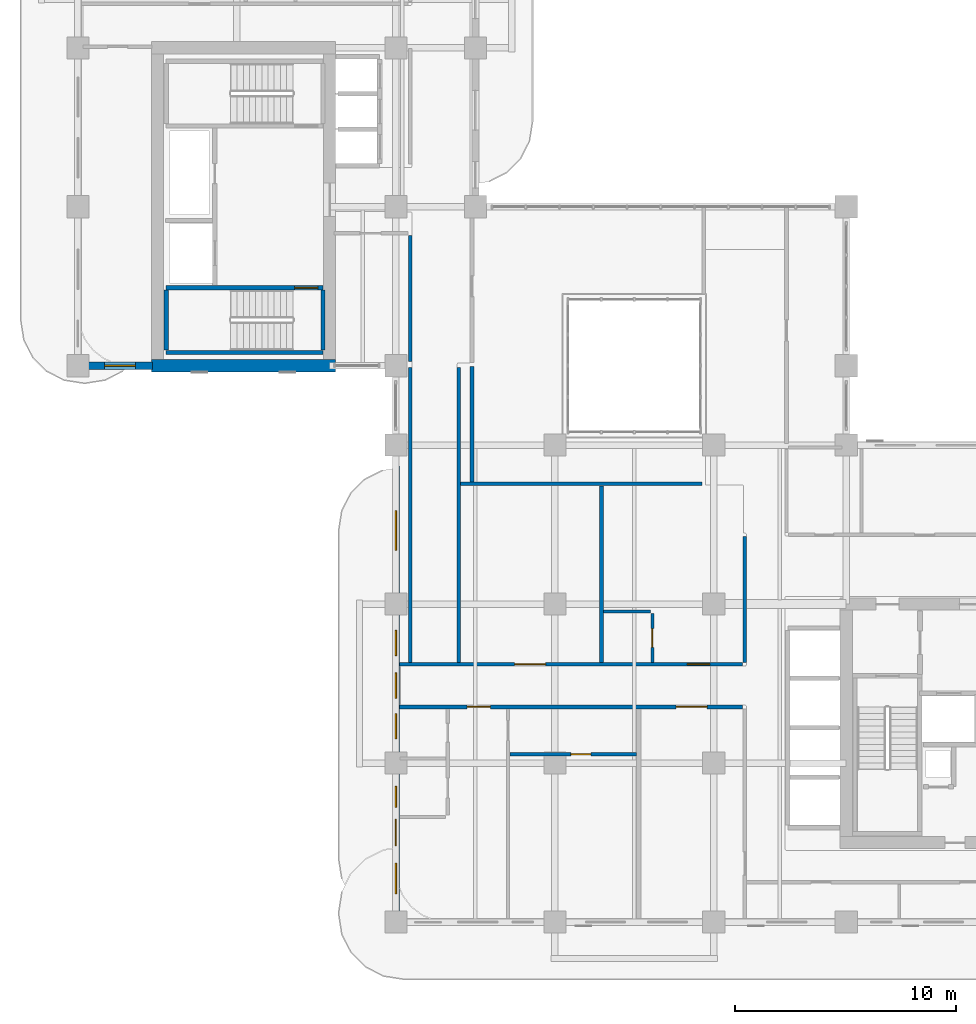
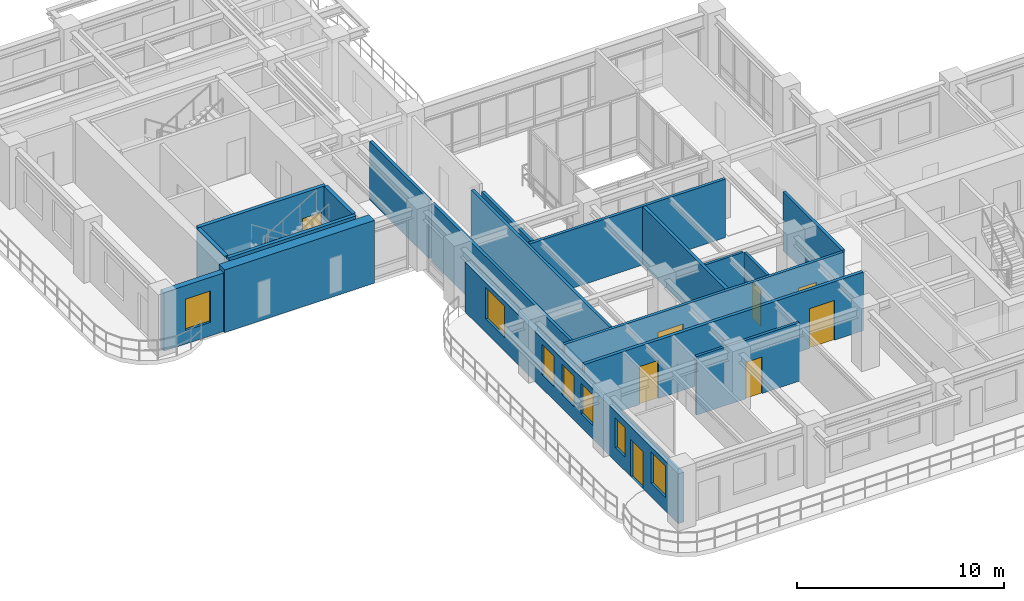
# One storey, part 11 of 20: 19 walls, 8 doors, 7 windows, 15 openings.
"""IFC4 building model written with IfcOpenShell, lengths in metres."""

from ifc_helpers import new_model, si_unit, derived_unit, direction, frame, frame_2d, origin, place, context, subcontext, project, spatial, rectangle, extrude, source, transform, mapped, material, layer, layer_set, type_object, type_shapes, element, fill, save


model = new_model("IFC4")

# Units and contexts
model_context = context("Model", 3, precision=1e-05, world=origin(), true_north=direction((0.0, 1.0)))
body_context = subcontext(model_context, "Body", "Model", "MODEL_VIEW")
ifc_project = project(units=[si_unit("LENGTHUNIT", "METRE"), si_unit("AREAUNIT", "SQUARE_METRE"), si_unit("VOLUMEUNIT", "CUBIC_METRE"), si_unit("PLANEANGLEUNIT", "RADIAN"), si_unit("MASSUNIT", "GRAM", prefix="KILO"), si_unit("THERMODYNAMICTEMPERATUREUNIT", "KELVIN"), si_unit("POWERUNIT", "WATT"), derived_unit("THERMALTRANSMITTANCEUNIT", [(si_unit("POWERUNIT", "WATT"), 1), (si_unit("AREAUNIT", "SQUARE_METRE"), -1), (si_unit("THERMODYNAMICTEMPERATUREUNIT", "KELVIN"), -1)])], contexts=[model_context])

# Site, building, storey
site_placement = place(None, origin())
site = spatial("IfcSite", under=ifc_project, at=site_placement, CompositionType="ELEMENT")
building_placement = place(site_placement, origin())
building = spatial("IfcBuilding", under=site, at=building_placement, Name="Zahravan Archway Hotel and Residences", CompositionType="ELEMENT")
storey_placement = place(building_placement, frame((0.0, 0.0, 115.5)))
storey = spatial("IfcBuildingStorey", under=building, at=storey_placement, Name="L28", CompositionType="ELEMENT", Elevation=115.5)

# Wall
ifc_material_1 = material(Name="Concrete C70/85", Category="concrete")
ifc_layer_1 = layer(ifc_material_1, 0.550048828125, Name="Concrete C70/85", Category="concrete")
ifc_layer_set_1 = layer_set([ifc_layer_1], Name="Concrete C70/85")
wall_type_1 = type_object("IfcWallType", Name="CW-CORE-550", PredefinedType="SHEAR", material=ifc_layer_set_1)
wall_1_placement = place(storey_placement, frame((3.324951171875, 25.199951171875, 0.0), z_axis=(0.0, 0.0, 1.0), x_axis=(1.0, 0.0, 0.0)))
element("IfcWall", 1, at=wall_1_placement, inside=storey, type_object=wall_type_1, Name="L28 Core B Shear S Wall 550 mm", PredefinedType="SHEAR", context=body_context, shape_type="SweptSolid", body=[
    extrude(rectangle(XDim=8.35009765625, YDim=0.550048828125, at=frame_2d((4.175048828125, 0.0))), origin(), (0.0, 0.0, 1.0), 3.699951171875),
])

# Wall, openings, door, windows
ifc_material_2 = material(Name="Agra Buff Sandstone & Insulated Backup", Category="masonry")
ifc_layer_2 = layer(ifc_material_2, 0.320068359375, Name="Agra Buff Sandstone & Insulated Backup", Category="masonry")
ifc_layer_set_2 = layer_set([ifc_layer_2], Name="Agra Buff Sandstone & Insulated Backup")
wall_type_2 = type_object("IfcWallType", Name="EW-SAND-320", PredefinedType="SOLIDWALL", material=ifc_layer_set_2)
wall_2_placement = place(storey_placement, frame((14.39990234375, 0.050048828125, 0.0), z_axis=(0.0, 0.0, 1.0), x_axis=(0.0, 1.0, 0.0)))
wall_2 = element("IfcWall", 2, at=wall_2_placement, inside=storey, type_object=wall_type_2, Name="L28 Exterior Sandstone Wall WA-WL", PredefinedType="SOLIDWALL", context=body_context, shape_type="SweptSolid", body=[
    extrude(rectangle(XDim=20.599853515625, YDim=0.320068359375, at=frame_2d((10.2998046875, 0.0))), origin(), (0.0, 0.0, 1.0), 2.93505859375),
])
opening_1_placement = place(wall_2_placement, frame((3.39990234375, 0.0, 0.0)))
opening_1 = element("IfcOpeningElement", 3, at=opening_1_placement, cuts=wall_2, Name="Opening ED-BL1", PredefinedType="OPENING", context=body_context, shape_type="SweptSolid", body=[
    extrude(rectangle(XDim=1.199951171875, YDim=2.199951171875, at=frame_2d((0.60009765625, 1.10009765625))), frame((0.0, 0.169921875, 0.0), z_axis=(0.0, -1.0, 0.0), x_axis=(1.0, 0.0, 0.0)), (0.0, 0.0, 1.0), 0.340087890625),
])
opening_2_placement = place(wall_2_placement, frame((1.22509765625, 0.0, 0.800048828125)))
opening_2 = element("IfcOpeningElement", 4, at=opening_2_placement, cuts=wall_2, Name="Opening W-03", PredefinedType="OPENING", context=body_context, shape_type="SweptSolid", body=[
    extrude(rectangle(XDim=1.39990234375, YDim=1.85009765625, at=frame_2d((0.699951171875, 0.925048828125))), frame((0.0, 0.169921875, 0.0), z_axis=(0.0, -1.0, 0.0), x_axis=(1.0, 0.0, 0.0)), (0.0, 0.0, 1.0), 0.340087890625),
])
opening_3_placement = place(wall_2_placement, frame((5.14990234375, 0.0, 0.800048828125)))
opening_3 = element("IfcOpeningElement", 5, at=opening_3_placement, cuts=wall_2, Name="Opening W-04", PredefinedType="OPENING", context=body_context, shape_type="SweptSolid", body=[
    extrude(rectangle(XDim=0.949951171875, YDim=1.75, at=frame_2d((0.47509765625, 0.875))), frame((0.0, 0.169921875, 0.0), z_axis=(0.0, -1.0, 0.0), x_axis=(1.0, 0.0, 0.0)), (0.0, 0.0, 1.0), 0.340087890625),
])
opening_4_placement = place(wall_2_placement, frame((8.24609375, 0.0, 0.800048828125)))
opening_4 = element("IfcOpeningElement", 6, at=opening_4_placement, cuts=wall_2, Name="Opening W-05", PredefinedType="OPENING", context=body_context, shape_type="SweptSolid", body=[
    extrude(rectangle(XDim=1.14990234375, YDim=1.800048828125, at=frame_2d((0.574951171875, 0.89990234375))), frame((0.0, 0.169921875, 0.0), z_axis=(0.0, -1.0, 0.0), x_axis=(1.0, 0.0, 0.0)), (0.0, 0.0, 1.0), 0.340087890625),
])
opening_5_placement = place(wall_2_placement, frame((10.0849609375, 0.0, 0.800048828125)))
opening_5 = element("IfcOpeningElement", 7, at=opening_5_placement, cuts=wall_2, Name="Opening W-05", PredefinedType="OPENING", context=body_context, shape_type="SweptSolid", body=[
    extrude(rectangle(XDim=1.14990234375, YDim=1.800048828125, at=frame_2d((0.574951171875, 0.89990234375))), frame((0.0, 0.169921875, 0.0), z_axis=(0.0, -1.0, 0.0), x_axis=(1.0, 0.0, 0.0)), (0.0, 0.0, 1.0), 0.340087890625),
])
opening_6_placement = place(wall_2_placement, frame((12.013916015625, 0.0, 0.800048828125)))
opening_6 = element("IfcOpeningElement", 8, at=opening_6_placement, cuts=wall_2, Name="Opening W-05", PredefinedType="OPENING", context=body_context, shape_type="SweptSolid", body=[
    extrude(rectangle(XDim=1.14990234375, YDim=1.800048828125, at=frame_2d((0.574951171875, 0.89990234375))), frame((0.0, 0.169921875, 0.0), z_axis=(0.0, -1.0, 0.0), x_axis=(1.0, 0.0, 0.0)), (0.0, 0.0, 1.0), 0.340087890625),
])
opening_7_placement = place(wall_2_placement, frame((16.7900390625, 0.0, 0.800048828125)))
opening_7 = element("IfcOpeningElement", 9, at=opening_7_placement, cuts=wall_2, Name="Opening W-02", PredefinedType="OPENING", context=body_context, shape_type="SweptSolid", body=[
    extrude(rectangle(XDim=1.800048828125, YDim=1.85009765625, at=frame_2d((0.89990234375, 0.925048828125))), frame((0.0, 0.169921875, 0.0), z_axis=(0.0, -1.0, 0.0), x_axis=(1.0, 0.0, 0.0)), (0.0, 0.0, 1.0), 0.340087890625),
])
ifc_material_3 = material(Name="Bronze-Anodized Glazed Aluminium", Category="aluminium")
door_type_1 = type_object("IfcDoorType", Name="ED-BALC-1200", OperationType="SLIDING_TO_LEFT", PredefinedType="DOOR", material=ifc_material_3)
shared_shape_1 = source(origin(), body_context, "Body", "SweptSolid", [
    extrude(rectangle(XDim=1.199951171875, YDim=2.199951171875, at=frame_2d((0.60009765625, 1.10009765625))), frame((0.0, 0.02490234375, 0.0), z_axis=(0.0, -1.0, 0.0), x_axis=(1.0, 0.0, 0.0)), (0.0, 0.0, 1.0), 0.050048828125),
])
type_shapes(door_type_1, [shared_shape_1])
door_1_placement = place(opening_1_placement, origin())
door_1 = element("IfcDoor", 10, at=door_1_placement, inside=storey, type_object=door_type_1, Name="L28 Outdoor Access Sliding Door (SLB-BAL-L28-WA)", OperationType="SLIDING_TO_LEFT", OverallHeight=2.199951171875, OverallWidth=1.199951171875, PredefinedType="DOOR", context=body_context, shape_type="MappedRepresentation", body=[
    mapped(shared_shape_1, transform((0.0, 0.0, 0.0), scale=1.0)),
])
fill(opening_1, door_1)
ifc_material_4 = material(Name="Bronze-Anodized Thermal-Break Aluminium & Low-E Glass", Category="aluminium")
window_type_1 = type_object("IfcWindowType", Name="WIN-TWR-1400", PartitioningType="SINGLE_PANEL", PredefinedType="WINDOW", material=ifc_material_4)
shared_shape_2 = source(origin(), body_context, "Body", "SweptSolid", [
    extrude(rectangle(XDim=1.39990234375, YDim=1.85009765625, at=frame_2d((0.699951171875, 0.925048828125))), frame((0.0, 0.030029296875, 0.0), z_axis=(0.0, -1.0, 0.0), x_axis=(1.0, 0.0, 0.0)), (0.0, 0.0, 1.0), 0.06005859375),
])
type_shapes(window_type_1, [shared_shape_2])
window_1_placement = place(opening_2_placement, origin())
window_1 = element("IfcWindow", 11, at=window_1_placement, inside=storey, type_object=window_type_1, Name="L28 Loggia Window 15", OverallHeight=1.85009765625, OverallWidth=1.39990234375, PartitioningType="SINGLE_PANEL", PredefinedType="WINDOW", context=body_context, shape_type="MappedRepresentation", body=[
    mapped(shared_shape_2, transform((0.0, 0.0, 0.0), scale=1.0)),
])
fill(opening_2, window_1)
window_type_2 = type_object("IfcWindowType", Name="WIN-NAR-950", PartitioningType="SINGLE_PANEL", PredefinedType="WINDOW", material=ifc_material_4)
shared_shape_3 = source(origin(), body_context, "Body", "SweptSolid", [
    extrude(rectangle(XDim=0.949951171875, YDim=1.75, at=frame_2d((0.47509765625, 0.875))), frame((0.0, 0.030029296875, 0.0), z_axis=(0.0, -1.0, 0.0), x_axis=(1.0, 0.0, 0.0)), (0.0, 0.0, 1.0), 0.06005859375),
])
type_shapes(window_type_2, [shared_shape_3])
window_2_placement = place(opening_3_placement, origin())
window_2 = element("IfcWindow", 12, at=window_2_placement, inside=storey, type_object=window_type_2, Name="L28 Loggia Window 16", OverallHeight=1.75, OverallWidth=0.949951171875, PartitioningType="SINGLE_PANEL", PredefinedType="WINDOW", context=body_context, shape_type="MappedRepresentation", body=[
    mapped(shared_shape_3, transform((0.0, 0.0, 0.0), scale=1.0)),
])
fill(opening_3, window_2)
window_type_3 = type_object("IfcWindowType", Name="WIN-TWR-1800", PartitioningType="DOUBLE_PANEL_VERTICAL", PredefinedType="WINDOW", material=ifc_material_4)
shared_shape_4 = source(origin(), body_context, "Body", "SweptSolid", [
    extrude(rectangle(XDim=1.800048828125, YDim=1.85009765625, at=frame_2d((0.89990234375, 0.925048828125))), frame((0.0, 0.030029296875, 0.0), z_axis=(0.0, -1.0, 0.0), x_axis=(1.0, 0.0, 0.0)), (0.0, 0.0, 1.0), 0.06005859375),
])
type_shapes(window_type_3, [shared_shape_4])
window_3_placement = place(opening_7_placement, origin())
window_3 = element("IfcWindow", 13, at=window_3_placement, inside=storey, type_object=window_type_3, Name="L28 Loggia Window 20", OverallHeight=1.85009765625, OverallWidth=1.800048828125, PartitioningType="DOUBLE_PANEL_VERTICAL", PredefinedType="WINDOW", context=body_context, shape_type="MappedRepresentation", body=[
    mapped(shared_shape_4, transform((0.0, 0.0, 0.0), scale=1.0)),
])
fill(opening_7, window_3)
window_type_4 = type_object("IfcWindowType", Name="WIN-TWR-1150", PartitioningType="SINGLE_PANEL", PredefinedType="WINDOW", material=ifc_material_4)
shared_shape_5 = source(origin(), body_context, "Body", "SweptSolid", [
    extrude(rectangle(XDim=1.14990234375, YDim=1.800048828125, at=frame_2d((0.574951171875, 0.89990234375))), frame((0.0, 0.030029296875, 0.0), z_axis=(0.0, -1.0, 0.0), x_axis=(1.0, 0.0, 0.0)), (0.0, 0.0, 1.0), 0.06005859375),
])
type_shapes(window_type_4, [shared_shape_5])
window_4_placement = place(opening_4_placement, origin())
window_4 = element("IfcWindow", 14, at=window_4_placement, inside=storey, type_object=window_type_4, Name="L28 Loggia Window 17", OverallHeight=1.800048828125, OverallWidth=1.14990234375, PartitioningType="SINGLE_PANEL", PredefinedType="WINDOW", context=body_context, shape_type="MappedRepresentation", body=[
    mapped(shared_shape_5, transform((0.0, 0.0, 0.0), scale=1.0)),
])
fill(opening_4, window_4)
window_5_placement = place(opening_5_placement, origin())
window_5 = element("IfcWindow", 15, at=window_5_placement, inside=storey, type_object=window_type_4, Name="L28 Loggia Window 18", OverallHeight=1.800048828125, OverallWidth=1.14990234375, PartitioningType="SINGLE_PANEL", PredefinedType="WINDOW", context=body_context, shape_type="MappedRepresentation", body=[
    mapped(shared_shape_5, transform((0.0, 0.0, 0.0), scale=1.0)),
])
fill(opening_5, window_5)
window_6_placement = place(opening_6_placement, origin())
window_6 = element("IfcWindow", 16, at=window_6_placement, inside=storey, type_object=window_type_4, Name="L28 Loggia Window 19", OverallHeight=1.800048828125, OverallWidth=1.14990234375, PartitioningType="SINGLE_PANEL", PredefinedType="WINDOW", context=body_context, shape_type="MappedRepresentation", body=[
    mapped(shared_shape_5, transform((0.0, 0.0, 0.0), scale=1.0)),
])
fill(opening_6, window_6)

# Wall, opening, window
wall_3_placement = place(storey_placement, frame((0.0, 25.199951171875, 0.0), z_axis=(0.0, 0.0, 1.0), x_axis=(1.0, 0.0, 0.0)))
wall_3 = element("IfcWall", 17, at=wall_3_placement, inside=storey, type_object=wall_type_2, Name="L28 Exterior Sandstone Wall WB-SW", PredefinedType="SOLIDWALL", context=body_context, shape_type="SweptSolid", body=[
    extrude(rectangle(XDim=3.3798828125, YDim=0.320068359375, at=frame_2d((1.68994140625, 0.0))), origin(), (0.0, 0.0, 1.0), 3.449951171875),
])
opening_8_placement = place(wall_3_placement, frame((1.205078125, 0.0, 0.800048828125)))
opening_8 = element("IfcOpeningElement", 18, at=opening_8_placement, cuts=wall_3, Name="Opening W-03", PredefinedType="OPENING", context=body_context, shape_type="SweptSolid", body=[
    extrude(rectangle(XDim=1.39990234375, YDim=1.85009765625, at=frame_2d((0.699951171875, 0.925048828125))), frame((0.0, 0.169921875, 0.0), z_axis=(0.0, -1.0, 0.0), x_axis=(1.0, 0.0, 0.0)), (0.0, 0.0, 1.0), 0.340087890625),
])
window_7_placement = place(opening_8_placement, origin())
window_7 = element("IfcWindow", 19, at=window_7_placement, inside=storey, type_object=window_type_1, Name="L28 Loggia Window 21", OverallHeight=1.85009765625, OverallWidth=1.39990234375, PartitioningType="SINGLE_PANEL", PredefinedType="WINDOW", context=body_context, shape_type="MappedRepresentation", body=[
    mapped(shared_shape_2, transform((0.0, 0.0, 0.0), scale=1.0)),
])
fill(opening_8, window_7)

# Wall, openings, doors
ifc_material_5 = material(Name="Fire-Rated Gypsum & Concrete Block", Category="concrete")
ifc_layer_3 = layer(ifc_material_5, 0.159912109375, Name="Fire-Rated Gypsum & Concrete Block", Category="concrete")
ifc_layer_set_3 = layer_set([ifc_layer_3], Name="Fire-Rated Gypsum & Concrete Block")
wall_type_3 = type_object("IfcWallType", Name="PW-CORR-160", PredefinedType="PARTITIONING", material=ifc_layer_set_3)
wall_4_placement = place(storey_placement, frame((14.568115234375, 11.669921875, 0.0), z_axis=(0.0, 0.0, 1.0), x_axis=(1.0, 0.0, 0.0)))
wall_4 = element("IfcWall", 20, at=wall_4_placement, inside=storey, type_object=wall_type_3, Name="L28 Partition WA-CN", PredefinedType="PARTITIONING", context=body_context, shape_type="SweptSolid", body=[
    extrude(rectangle(XDim=15.5419921875, YDim=0.159912109375, at=frame_2d((7.77099609375, 0.0))), origin(), (0.0, 0.0, 1.0), 3.449951171875),
])
opening_9_placement = place(wall_4_placement, frame((5.217041015625, 0.0, 0.0)))
opening_9 = element("IfcOpeningElement", 21, at=opening_9_placement, cuts=wall_4, Name="Opening D-P1", PredefinedType="OPENING", context=body_context, shape_type="SweptSolid", body=[
    extrude(rectangle(XDim=1.39990234375, YDim=2.35009765625, at=frame_2d((0.699951171875, 1.175048828125))), frame((0.0, 0.08984375, 0.0), z_axis=(0.0, -1.0, 0.0), x_axis=(1.0, 0.0, 0.0)), (0.0, 0.0, 1.0), 0.179931640625),
])
opening_10_placement = place(wall_4_placement, frame((13.0419921875, 0.0, 0.0)))
opening_10 = element("IfcOpeningElement", 22, at=opening_10_placement, cuts=wall_4, Name="Opening D-U2", PredefinedType="OPENING", context=body_context, shape_type="SweptSolid", body=[
    extrude(rectangle(XDim=1.0, YDim=2.199951171875, at=frame_2d((0.5, 1.10009765625))), frame((0.0, 0.08984375, 0.0), z_axis=(0.0, -1.0, 0.0), x_axis=(1.0, 0.0, 0.0)), (0.0, 0.0, 1.0), 0.179931640625),
])
door_type_2 = type_object("IfcDoorType", Name="ID-PUBLIC-1400", OperationType="DOUBLE_DOOR_SINGLE_SWING", PredefinedType="DOOR", material=ifc_material_3)
shared_shape_6 = source(origin(), body_context, "Body", "SweptSolid", [
    extrude(rectangle(XDim=1.39990234375, YDim=2.35009765625, at=frame_2d((0.699951171875, 1.175048828125))), frame((0.0, 0.02490234375, 0.0), z_axis=(0.0, -1.0, 0.0), x_axis=(1.0, 0.0, 0.0)), (0.0, 0.0, 1.0), 0.050048828125),
])
type_shapes(door_type_2, [shared_shape_6])
door_2_placement = place(opening_9_placement, origin())
door_2 = element("IfcDoor", 23, at=door_2_placement, inside=storey, type_object=door_type_2, Name="L28 Atrium Lounge Door", OperationType="DOUBLE_DOOR_SINGLE_SWING", OverallHeight=2.35009765625, OverallWidth=1.39990234375, PredefinedType="DOOR", context=body_context, shape_type="MappedRepresentation", body=[
    mapped(shared_shape_6, transform((0.0, 0.0, 0.0), scale=1.0)),
])
fill(opening_9, door_2)
ifc_material_6 = material(Name="Hardwood Veneer Timber", Category="wood")
door_type_3 = type_object("IfcDoorType", Name="ID-UNIT-1000", OperationType="NOTDEFINED", PredefinedType="DOOR", material=ifc_material_6)
shared_shape_7 = source(origin(), body_context, "Body", "SweptSolid", [
    extrude(rectangle(XDim=1.0, YDim=2.199951171875, at=frame_2d((0.5, 1.10009765625))), frame((0.0, 0.02490234375, 0.0), z_axis=(0.0, -1.0, 0.0), x_axis=(1.0, 0.0, 0.0)), (0.0, 0.0, 1.0), 0.050048828125),
])
type_shapes(door_type_3, [shared_shape_7])
door_3_placement = place(opening_10_placement, origin())
door_3 = element("IfcDoor", 24, at=door_3_placement, inside=storey, type_object=door_type_3, Name="L28 Hotel Guestroom 51 Entrance Door", OperationType="SINGLE_SWING_RIGHT", OverallHeight=2.199951171875, OverallWidth=1.0, PredefinedType="DOOR", context=body_context, shape_type="MappedRepresentation", body=[
    mapped(shared_shape_7, transform((0.0, 0.0, 0.0), scale=1.0)),
])
fill(opening_10, door_3)

# Walls
wall_5_placement = place(storey_placement, frame((30.199951171875, 11.760009765625, 0.0), z_axis=(0.0, 0.0, 1.0), x_axis=(0.0, 1.0, 0.0)))
element("IfcWall", 25, at=wall_5_placement, inside=storey, type_object=wall_type_3, Name="L28 Partition WA-FW", PredefinedType="PARTITIONING", context=body_context, shape_type="SweptSolid", body=[
    extrude(rectangle(XDim=5.699951171875, YDim=0.159912109375, at=frame_2d((2.85009765625, 0.0))), origin(), (0.0, 0.0, 1.0), 3.449951171875),
])
for number, where, z_axis, x_axis, name in (
    (26, (15.050048828125, 11.760009765625, 0.0), (0.0, 0.0, 1.0), (0.0, 1.0, 0.0), "L28 Partition LNK-W"),
    (27, (17.25, 11.760009765625, 0.0), (0.0, 0.0, 1.0), (0.0, 1.0, 0.0), "L28 Partition LNK-E"),
):
    element("IfcWall", number, at=place(storey_placement, frame(where, z_axis=z_axis, x_axis=x_axis)), inside=storey, type_object=wall_type_3, Name=name, PredefinedType="PARTITIONING", context=body_context, shape_type="SweptSolid", body=[
        extrude(rectangle(XDim=13.35009765625, YDim=0.159912109375, at=frame_2d((6.675048828125, 0.0))), origin(), (0.0, 0.0, 1.0), 3.449951171875),
    ])
wall_6_placement = place(storey_placement, frame((15.050048828125, 25.389892578125, 0.0), z_axis=(0.0, 0.0, 1.0), x_axis=(0.0, 1.0, 0.0)))
element("IfcWall", 28, at=wall_6_placement, inside=storey, type_object=wall_type_3, Name="L28 Partition FB1-E", PredefinedType="PARTITIONING", context=body_context, shape_type="SweptSolid", body=[
    extrude(rectangle(XDim=5.72021484375, YDim=0.159912109375, at=frame_2d((2.860107421875, 0.0))), origin(), (0.0, 0.0, 1.0), 3.449951171875),
])
wall_7_placement = place(storey_placement, frame((17.340087890625, 19.85009765625, 0.0), z_axis=(0.0, 0.0, 1.0), x_axis=(1.0, 0.0, 0.0)))
element("IfcWall", 29, at=wall_7_placement, inside=storey, type_object=wall_type_3, Name="L28 Partition ATR-S", PredefinedType="PARTITIONING", context=body_context, shape_type="SweptSolid", body=[
    extrude(rectangle(XDim=10.919921875, YDim=0.159912109375, at=frame_2d((5.4599609375, 0.0))), origin(), (0.0, 0.0, 1.0), 3.449951171875),
])

# Wall, openings, doors
ifc_layer_4 = layer(ifc_material_5, 0.179931640625, Name="Fire-Rated Gypsum & Concrete Block", Category="concrete")
ifc_layer_set_4 = layer_set([ifc_layer_4], Name="Fire-Rated Gypsum & Concrete Block")
wall_type_4 = type_object("IfcWallType", Name="PW-CORR-180", PredefinedType="PARTITIONING", material=ifc_layer_set_4)
wall_8_placement = place(storey_placement, frame((14.568115234375, 9.75, 0.0), z_axis=(0.0, 0.0, 1.0), x_axis=(1.0, 0.0, 0.0)))
wall_8 = element("IfcWall", 30, at=wall_8_placement, inside=storey, type_object=wall_type_4, Name="L28 Partition WA-CS", PredefinedType="PARTITIONING", context=body_context, shape_type="SweptSolid", body=[
    extrude(rectangle(XDim=15.5419921875, YDim=0.179931640625, at=frame_2d((7.77099609375, 0.0))), origin(), (0.0, 0.0, 1.0), 3.449951171875),
])
opening_11_placement = place(wall_8_placement, frame((3.06201171875, 0.0, 0.0)))
opening_11 = element("IfcOpeningElement", 31, at=opening_11_placement, cuts=wall_8, Name="Opening D-U1", PredefinedType="OPENING", context=body_context, shape_type="SweptSolid", body=[
    extrude(rectangle(XDim=1.050048828125, YDim=2.25, at=frame_2d((0.52490234375, 1.125))), frame((0.0, 0.10009765625, 0.0), z_axis=(0.0, -1.0, 0.0), x_axis=(1.0, 0.0, 0.0)), (0.0, 0.0, 1.0), 0.199951171875),
])
opening_12_placement = place(wall_8_placement, frame((12.531982421875, 0.0, 0.0)))
opening_12 = element("IfcOpeningElement", 32, at=opening_12_placement, cuts=wall_8, Name="Opening D-P1", PredefinedType="OPENING", context=body_context, shape_type="SweptSolid", body=[
    extrude(rectangle(XDim=1.39990234375, YDim=2.35009765625, at=frame_2d((0.699951171875, 1.175048828125))), frame((0.0, 0.10009765625, 0.0), z_axis=(0.0, -1.0, 0.0), x_axis=(1.0, 0.0, 0.0)), (0.0, 0.0, 1.0), 0.199951171875),
])
door_4_placement = place(opening_12_placement, origin())
door_4 = element("IfcDoor", 33, at=door_4_placement, inside=storey, type_object=door_type_2, Name="L28 South Spa Salon Door", OperationType="DOUBLE_DOOR_SINGLE_SWING", OverallHeight=2.35009765625, OverallWidth=1.39990234375, PredefinedType="DOOR", context=body_context, shape_type="MappedRepresentation", body=[
    mapped(shared_shape_6, transform((0.0, 0.0, 0.0), scale=1.0)),
])
fill(opening_12, door_4)
door_type_4 = type_object("IfcDoorType", Name="ID-UNIT-1050", OperationType="NOTDEFINED", PredefinedType="DOOR", material=ifc_material_6)
shared_shape_8 = source(origin(), body_context, "Body", "SweptSolid", [
    extrude(rectangle(XDim=1.050048828125, YDim=2.25, at=frame_2d((0.52490234375, 1.125))), frame((0.0, 0.02490234375, 0.0), z_axis=(0.0, -1.0, 0.0), x_axis=(1.0, 0.0, 0.0)), (0.0, 0.0, 1.0), 0.050048828125),
])
type_shapes(door_type_4, [shared_shape_8])
door_5_placement = place(opening_11_placement, origin())
door_5 = element("IfcDoor", 34, at=door_5_placement, inside=storey, type_object=door_type_4, Name="L28 Flat HS1 Entrance Door", OperationType="SINGLE_SWING_LEFT", OverallHeight=2.25, OverallWidth=1.050048828125, PredefinedType="DOOR", context=body_context, shape_type="MappedRepresentation", body=[
    mapped(shared_shape_8, transform((0.0, 0.0, 0.0), scale=1.0)),
])
fill(opening_11, door_5)

# Wall, opening, door
ifc_material_7 = material(Name="Acoustic Stud Partition")
ifc_layer_5 = layer(ifc_material_7, 0.14990234375, Name="Acoustic Stud Partition")
ifc_layer_set_5 = layer_set([ifc_layer_5], Name="Acoustic Stud Partition")
wall_type_5 = type_object("IfcWallType", Name="PW-UNIT-150", PredefinedType="PARTITIONING", material=ifc_layer_set_5)
wall_9_placement = place(storey_placement, frame((19.570068359375, 7.60009765625, 0.0), z_axis=(0.0, 0.0, 1.0), x_axis=(1.0, 0.0, 0.0)))
wall_9 = element("IfcWall", 35, at=wall_9_placement, inside=storey, type_object=wall_type_5, Name="L28 Partition FL-HS1-GH", PredefinedType="PARTITIONING", context=body_context, shape_type="SweptSolid", body=[
    extrude(rectangle(XDim=5.739990234375, YDim=0.14990234375, at=frame_2d((2.8701171875, 0.0))), origin(), (0.0, 0.0, 1.0), 3.449951171875),
])
opening_13_placement = place(wall_9_placement, frame((2.762451171875, 0.0, 0.0)))
opening_13 = element("IfcOpeningElement", 36, at=opening_13_placement, cuts=wall_9, Name="Opening D-I2", PredefinedType="OPENING", context=body_context, shape_type="SweptSolid", body=[
    extrude(rectangle(XDim=0.89990234375, YDim=2.14990234375, at=frame_2d((0.449951171875, 1.074951171875))), frame((0.0, 0.0849609375, 0.0), z_axis=(0.0, -1.0, 0.0), x_axis=(1.0, 0.0, 0.0)), (0.0, 0.0, 1.0), 0.169921875),
])
door_type_5 = type_object("IfcDoorType", Name="ID-INT-900", OperationType="NOTDEFINED", PredefinedType="DOOR", material=ifc_material_6)
shared_shape_9 = source(origin(), body_context, "Body", "SweptSolid", [
    extrude(rectangle(XDim=0.89990234375, YDim=2.14990234375, at=frame_2d((0.449951171875, 1.074951171875))), frame((0.0, 0.02490234375, 0.0), z_axis=(0.0, -1.0, 0.0), x_axis=(1.0, 0.0, 0.0)), (0.0, 0.0, 1.0), 0.050048828125),
])
type_shapes(door_type_5, [shared_shape_9])
door_6_placement = place(opening_13_placement, origin())
door_6 = element("IfcDoor", 37, at=door_6_placement, inside=storey, type_object=door_type_5, Name="L28 Flat HS1 Bedroom 1 Door", OperationType="SINGLE_SWING_RIGHT", OverallHeight=2.14990234375, OverallWidth=0.89990234375, PredefinedType="DOOR", context=body_context, shape_type="MappedRepresentation", body=[
    mapped(shared_shape_9, transform((0.0, 0.0, 0.0), scale=1.0)),
])
fill(opening_13, door_6)

# Walls
ifc_layer_6 = layer(ifc_material_7, 0.169921875, Name="Acoustic Stud Partition")
ifc_layer_set_6 = layer_set([ifc_layer_6], Name="Acoustic Stud Partition")
wall_type_6 = type_object("IfcWallType", Name="PW-UNIT-170", PredefinedType="PARTITIONING", material=ifc_layer_set_6)
wall_10_placement = place(storey_placement, frame((17.85009765625, 19.93994140625, 0.0), z_axis=(0.0, 0.0, 1.0), x_axis=(0.0, 1.0, 0.0)))
element("IfcWall", 38, at=wall_10_placement, inside=storey, type_object=wall_type_6, Name="L28 Partition ATR-NWSL", PredefinedType="PARTITIONING", context=body_context, shape_type="SweptSolid", body=[
    extrude(rectangle(XDim=5.219970703125, YDim=0.169921875, at=frame_2d((2.60986328125, 0.0))), origin(), (0.0, 0.0, 1.0), 3.10498046875),
])
wall_11_placement = place(storey_placement, frame((23.719970703125, 11.760009765625, 0.0), z_axis=(0.0, 0.0, 1.0), x_axis=(0.0, 1.0, 0.0)))
element("IfcWall", 39, at=wall_11_placement, inside=storey, type_object=wall_type_6, Name="L28 Partition ATN-0", PredefinedType="PARTITIONING", context=body_context, shape_type="SweptSolid", body=[
    extrude(rectangle(XDim=8.0, YDim=0.169921875, at=frame_2d((4.0, 0.0))), origin(), (0.0, 0.0, 1.0), 3.449951171875),
])

# Wall, opening, door
ifc_material_8 = material(Name="Moisture-Resistant Blockwork", Category="masonry")
ifc_layer_7 = layer(ifc_material_8, 0.139892578125, Name="Moisture-Resistant Blockwork", Category="masonry")
ifc_layer_set_7 = layer_set([ifc_layer_7], Name="Moisture-Resistant Blockwork")
wall_type_7 = type_object("IfcWallType", Name="PW-WET-140", PredefinedType="PARTITIONING", material=ifc_layer_set_7)
wall_12_placement = place(storey_placement, frame((26.02001953125, 11.760009765625, 0.0), z_axis=(0.0, 0.0, 1.0), x_axis=(0.0, 1.0, 0.0)))
wall_12 = element("IfcWall", 40, at=wall_12_placement, inside=storey, type_object=wall_type_7, Name="L28 Partition HKB-V51", PredefinedType="PARTITIONING", context=body_context, shape_type="SweptSolid", body=[
    extrude(rectangle(XDim=2.219970703125, YDim=0.139892578125, at=frame_2d((1.10986328125, 0.0))), origin(), (0.0, 0.0, 1.0), 3.449951171875),
])
opening_14_placement = place(wall_12_placement, frame((0.68505859375, 0.0, 0.0)))
opening_14 = element("IfcOpeningElement", 41, at=opening_14_placement, cuts=wall_12, Name="Opening D-B1", PredefinedType="OPENING", context=body_context, shape_type="SweptSolid", body=[
    extrude(rectangle(XDim=0.85009765625, YDim=2.10009765625, at=frame_2d((0.425048828125, 1.050048828125))), frame((0.0, 0.080078125, 0.0), z_axis=(0.0, -1.0, 0.0), x_axis=(1.0, 0.0, 0.0)), (0.0, 0.0, 1.0), 0.159912109375),
])
door_type_6 = type_object("IfcDoorType", Name="ID-BATH-850", OperationType="NOTDEFINED", PredefinedType="DOOR", material=ifc_material_6)
shared_shape_10 = source(origin(), body_context, "Body", "SweptSolid", [
    extrude(rectangle(XDim=0.85009765625, YDim=2.10009765625, at=frame_2d((0.425048828125, 1.050048828125))), frame((0.0, 0.02490234375, 0.0), z_axis=(0.0, -1.0, 0.0), x_axis=(1.0, 0.0, 0.0)), (0.0, 0.0, 1.0), 0.050048828125),
])
type_shapes(door_type_6, [shared_shape_10])
door_7_placement = place(opening_14_placement, origin())
door_7 = element("IfcDoor", 42, at=door_7_placement, inside=storey, type_object=door_type_6, Name="L28 Guestroom 51 En-Suite Door", OperationType="SINGLE_SWING_LEFT", OverallHeight=2.10009765625, OverallWidth=0.85009765625, PredefinedType="DOOR", context=body_context, shape_type="MappedRepresentation", body=[
    mapped(shared_shape_10, transform((0.0, 0.0, 0.0), scale=1.0)),
])
fill(opening_14, door_7)

# Walls
wall_13_placement = place(storey_placement, frame((23.81005859375, 14.070068359375, 0.0), z_axis=(0.0, 0.0, 1.0), x_axis=(1.0, 0.0, 0.0)))
element("IfcWall", 43, at=wall_13_placement, inside=storey, type_object=wall_type_7, Name="L28 Partition HKB-H51", PredefinedType="PARTITIONING", context=body_context, shape_type="SweptSolid", body=[
    extrude(rectangle(XDim=2.119873046875, YDim=0.139892578125, at=frame_2d((1.06005859375, 0.0))), origin(), (0.0, 0.0, 1.0), 3.449951171875),
])
ifc_material_9 = material(Name="Concrete C50/60", Category="concrete")
ifc_layer_8 = layer(ifc_material_9, 0.199951171875, Name="Concrete C50/60", Category="concrete")
ifc_layer_set_8 = layer_set([ifc_layer_8], Name="Concrete C50/60")
wall_type_8 = type_object("IfcWallType", Name="SW-STAIR-200", PredefinedType="SHEAR", material=ifc_layer_set_8)
wall_14_placement = place(storey_placement, frame((4.0, 25.800048828125, 0.0), z_axis=(0.0, 0.0, 1.0), x_axis=(1.0, 0.0, 0.0)))
element("IfcWall", 44, at=wall_14_placement, inside=storey, type_object=wall_type_8, Name="L28 Stairwell RC Wall CB-SB1S", PredefinedType="SHEAR", context=body_context, shape_type="SweptSolid", body=[
    extrude(rectangle(XDim=7.10009765625, YDim=0.199951171875, at=frame_2d((3.550048828125, 0.0))), origin(), (0.0, 0.0, 1.0), 3.699951171875),
])
for number, where, z_axis, x_axis, name in (
    (45, (4.0, 25.919921875, 0.0), (0.0, 0.0, 1.0), (0.0, 1.0, 0.0), "L28 Stairwell RC Wall CB-SB1W"),
    (46, (11.10009765625, 25.919921875, 0.0), (0.0, 0.0, 1.0), (0.0, 1.0, 0.0), "L28 Stairwell RC Wall CB-SB1E"),
):
    element("IfcWall", number, at=place(storey_placement, frame(where, z_axis=z_axis, x_axis=x_axis)), inside=storey, type_object=wall_type_8, Name=name, PredefinedType="SHEAR", context=body_context, shape_type="SweptSolid", body=[
        extrude(rectangle(XDim=2.7001953125, YDim=0.199951171875, at=frame_2d((1.35009765625, 0.0))), origin(), (0.0, 0.0, 1.0), 3.699951171875),
    ])

# Wall, opening, door
wall_15_placement = place(storey_placement, frame((4.0, 28.739990234375, 0.0), z_axis=(0.0, 0.0, 1.0), x_axis=(1.0, 0.0, 0.0)))
wall_15 = element("IfcWall", 47, at=wall_15_placement, inside=storey, type_object=wall_type_8, Name="L28 Stairwell RC Wall CB-SB1N", PredefinedType="SHEAR", context=body_context, shape_type="SweptSolid", body=[
    extrude(rectangle(XDim=7.10009765625, YDim=0.199951171875, at=frame_2d((3.550048828125, 0.0))), origin(), (0.0, 0.0, 1.0), 3.699951171875),
])
opening_15_placement = place(wall_15_placement, frame((5.81494140625, 0.0, 0.0)))
opening_15 = element("IfcOpeningElement", 48, at=opening_15_placement, cuts=wall_15, Name="Opening FD-S1", PredefinedType="OPENING", context=body_context, shape_type="SweptSolid", body=[
    extrude(rectangle(XDim=1.050048828125, YDim=2.199951171875, at=frame_2d((0.52490234375, 1.10009765625))), frame((0.0, 0.10986328125, 0.0), z_axis=(0.0, -1.0, 0.0), x_axis=(1.0, 0.0, 0.0)), (0.0, 0.0, 1.0), 0.219970703125),
])
ifc_material_10 = material(Name="Fire-Rated Painted Steel", Category="steel")
door_type_7 = type_object("IfcDoorType", Name="FD-STAIR-1100", OperationType="NOTDEFINED", PredefinedType="DOOR", material=ifc_material_10)
shared_shape_11 = source(origin(), body_context, "Body", "SweptSolid", [
    extrude(rectangle(XDim=1.050048828125, YDim=2.199951171875, at=frame_2d((0.52490234375, 1.10009765625))), frame((0.0, 0.02490234375, 0.0), z_axis=(0.0, -1.0, 0.0), x_axis=(1.0, 0.0, 0.0)), (0.0, 0.0, 1.0), 0.050048828125),
])
type_shapes(door_type_7, [shared_shape_11])
door_8_placement = place(opening_15_placement, origin())
door_8 = element("IfcDoor", 49, at=door_8_placement, inside=storey, type_object=door_type_7, Name="L28 Stair ST-B1 Door", OperationType="SINGLE_SWING_RIGHT", OverallHeight=2.199951171875, OverallWidth=1.050048828125, PredefinedType="DOOR", context=body_context, shape_type="MappedRepresentation", body=[
    mapped(shared_shape_11, transform((0.0, 0.0, 0.0), scale=1.0)),
])
fill(opening_15, door_8)

save(model, "model.ifc")
